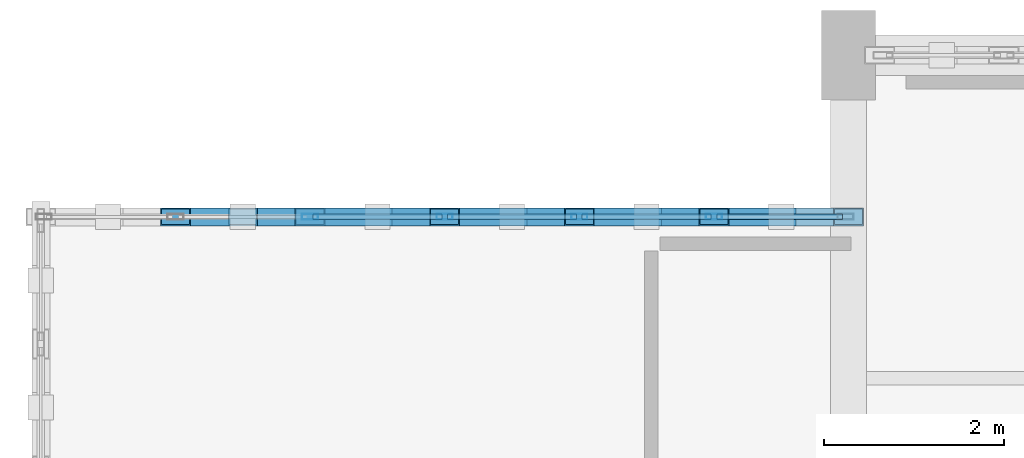
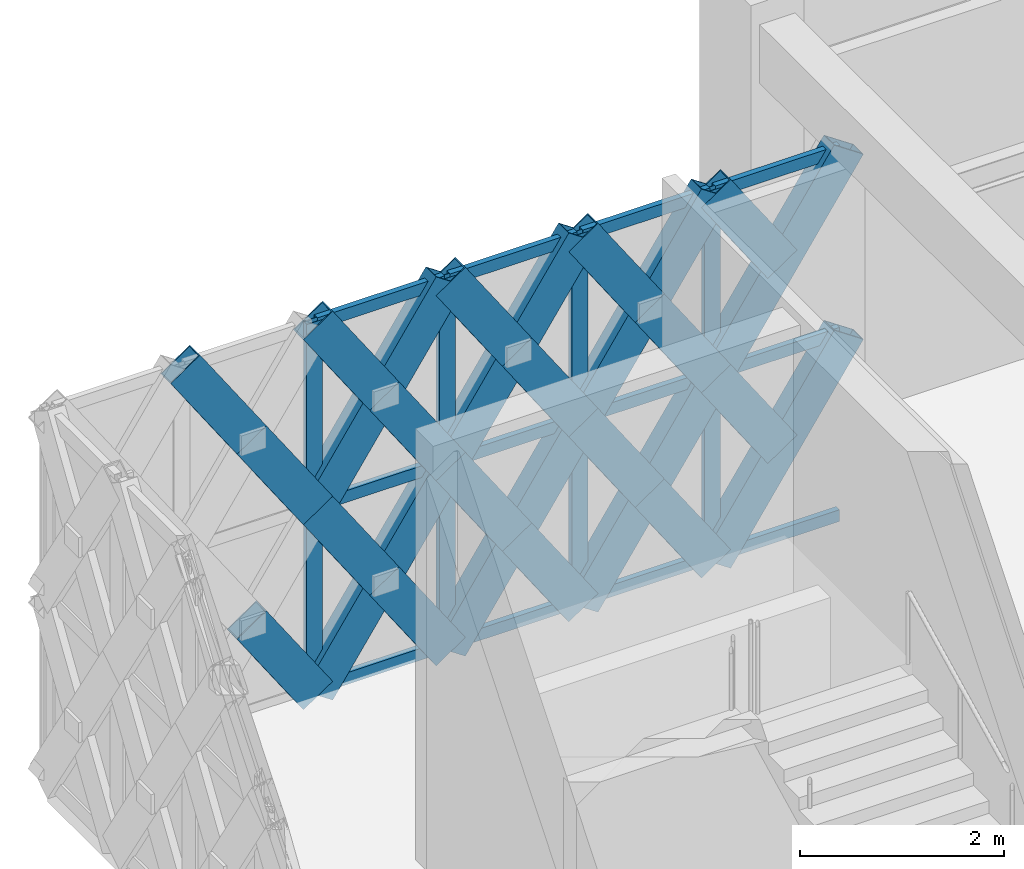
# One storey, part 72 of 166: 41 members, 1 element without a shape of its own.
"""IFC4 building model written with IfcOpenShell, lengths in metres."""

from ifc_helpers import new_model, si_unit, direction, frame, origin, origin_2d, place, context, subcontext, project, spatial, hollow_rectangle, extrude, material, material_profile, profile_set, type_object, element, aggregate, save


model = new_model("IFC4")

# Units and contexts
model_context = context("Model", 3, precision=1e-05, world=origin(), true_north=direction((0.0, 1.0)))
body_context = subcontext(model_context, "Body", "Model", "MODEL_VIEW")
ifc_project = project(units=[si_unit("LENGTHUNIT", "METRE"), si_unit("AREAUNIT", "SQUARE_METRE"), si_unit("VOLUMEUNIT", "CUBIC_METRE"), si_unit("PLANEANGLEUNIT", "RADIAN"), si_unit("MASSUNIT", "GRAM", prefix="KILO")], contexts=[model_context])

# Site, building, storey
site_placement = place(None, origin())
site = spatial("IfcSite", under=ifc_project, at=site_placement, CompositionType="ELEMENT")
building_placement = place(site_placement, origin())
building = spatial("IfcBuilding", under=site, at=building_placement, Name="Haizhuo Lancet Aquarium", CompositionType="ELEMENT")
storey_placement = place(building_placement, frame((0.0, 0.0, 5.39990234375)))
storey = spatial("IfcBuildingStorey", under=building, at=storey_placement, Name="L01", CompositionType="ELEMENT", Elevation=5.39990234375)

# Curtain wall, members
ifc_material_1 = material(Name="Aluminium 6063-T6", Category="aluminium")
curtain_wall_type = type_object("IfcCurtainWallType", Name="CWD-9000x4420", PredefinedType="NOTDEFINED", material=ifc_material_1)
curtain_wall_placement = place(storey_placement, origin())
curtain_wall = element("IfcCurtainWall", 1, at=curtain_wall_placement, inside=storey, type_object=curtain_wall_type, Name="L01 curtain wall CW-V5-L01-130", PredefinedType="NOTDEFINED")
ifc_material_profile_1 = material_profile(ifc_material_1, hollow_rectangle(XDim=0.06494140625, YDim=0.179931640625, WallThickness=0.00390625, at=origin_2d()), Name="ALU-M 65x180x4")
ifc_profile_set_1 = profile_set([ifc_material_profile_1], Name="Aluminium 6063-T6")
member_type_1 = type_object("IfcMemberType", Name="CW-MUL-1", PredefinedType="MULLION", material=ifc_profile_set_1)
member_1_placement = place(storey_placement, frame((-24.0, 54.0, 0.0), z_axis=(0.0, 0.0, 1.0), x_axis=(0.0, 1.0, 0.0)))
member_1 = element("IfcMember", 2, at=member_1_placement, type_object=member_type_1, Name="CWD-90x44 mullion 3", PredefinedType="MULLION", context=body_context, shape_type="SweptSolid", body=[
    extrude(hollow_rectangle(XDim=0.06494140625, YDim=0.179931640625, WallThickness=0.00390625, at=origin_2d()), origin(), (0.0, 0.0, 1.0), 4.425048828125),
])
member_2_placement = place(storey_placement, frame((-22.5, 54.0, 0.0), z_axis=(0.0, 0.0, 1.0), x_axis=(0.0, 1.0, 0.0)))
member_2 = element("IfcMember", 3, at=member_2_placement, type_object=member_type_1, Name="CWD-90x44 mullion 4", PredefinedType="MULLION", context=body_context, shape_type="SweptSolid", body=[
    extrude(hollow_rectangle(XDim=0.06494140625, YDim=0.179931640625, WallThickness=0.00390625, at=origin_2d()), origin(), (0.0, 0.0, 1.0), 4.425048828125),
])
member_3_placement = place(storey_placement, frame((-21.0, 54.0, 0.0), z_axis=(0.0, 0.0, 1.0), x_axis=(0.0, 1.0, 0.0)))
member_3 = element("IfcMember", 4, at=member_3_placement, type_object=member_type_1, Name="CWD-90x44 mullion 5", PredefinedType="MULLION", context=body_context, shape_type="SweptSolid", body=[
    extrude(hollow_rectangle(XDim=0.06494140625, YDim=0.179931640625, WallThickness=0.00390625, at=origin_2d()), origin(), (0.0, 0.0, 1.0), 4.425048828125),
])
member_4_placement = place(storey_placement, frame((-19.5, 54.0, 0.0), z_axis=(0.0, 0.0, 1.0), x_axis=(0.0, 1.0, 0.0)))
member_4 = element("IfcMember", 5, at=member_4_placement, type_object=member_type_1, Name="CWD-90x44 mullion 6", PredefinedType="MULLION", context=body_context, shape_type="SweptSolid", body=[
    extrude(hollow_rectangle(XDim=0.06494140625, YDim=0.179931640625, WallThickness=0.00390625, at=origin_2d()), origin(), (0.0, 0.0, 1.0), 4.425048828125),
])
ifc_material_profile_2 = material_profile(ifc_material_1, hollow_rectangle(XDim=0.06494140625, YDim=0.139892578125, WallThickness=0.00390625, at=origin_2d()), Name="ALU-T 65x140x4")
ifc_profile_set_2 = profile_set([ifc_material_profile_2], Name="Aluminium 6063-T6")
member_type_2 = type_object("IfcMemberType", Name="CW-TRN-1", PredefinedType="NOTDEFINED", material=ifc_profile_set_2)
member_5_placement = place(storey_placement, frame((-23.968017578125, 54.0, 0.033203125), z_axis=(1.0, 0.0, 0.0), x_axis=(0.0, 1.0, 0.0)))
member_5 = element("IfcMember", 6, at=member_5_placement, type_object=member_type_2, Name="CWD-90x44 transom 3.1", ObjectType="TRANSOM", PredefinedType="USERDEFINED", context=body_context, shape_type="SweptSolid", body=[
    extrude(hollow_rectangle(XDim=0.06494140625, YDim=0.139892578125, WallThickness=0.00390625, at=origin_2d()), origin(), (0.0, 0.0, 1.0), 1.43603515625),
])
member_6_placement = place(storey_placement, frame((-23.968017578125, 54.0, 2.212158203125), z_axis=(1.0, 0.0, 0.0), x_axis=(0.0, 1.0, 0.0)))
member_6 = element("IfcMember", 7, at=member_6_placement, type_object=member_type_2, Name="CWD-90x44 transom 3.2", ObjectType="TRANSOM", PredefinedType="USERDEFINED", context=body_context, shape_type="SweptSolid", body=[
    extrude(hollow_rectangle(XDim=0.06494140625, YDim=0.139892578125, WallThickness=0.00390625, at=origin_2d()), origin(), (0.0, 0.0, 1.0), 1.43603515625),
])
member_7_placement = place(storey_placement, frame((-23.968017578125, 54.0, 4.39208984375), z_axis=(1.0, 0.0, 0.0), x_axis=(0.0, 1.0, 0.0)))
member_7 = element("IfcMember", 8, at=member_7_placement, type_object=member_type_2, Name="CWD-90x44 transom 3.3", ObjectType="TRANSOM", PredefinedType="USERDEFINED", context=body_context, shape_type="SweptSolid", body=[
    extrude(hollow_rectangle(XDim=0.06494140625, YDim=0.139892578125, WallThickness=0.00390625, at=origin_2d()), origin(), (0.0, 0.0, 1.0), 1.43603515625),
])
member_8_placement = place(storey_placement, frame((-22.468017578125, 54.0, 0.033203125), z_axis=(1.0, 0.0, 0.0), x_axis=(0.0, 1.0, 0.0)))
member_8 = element("IfcMember", 9, at=member_8_placement, type_object=member_type_2, Name="CWD-90x44 transom 4.1", ObjectType="TRANSOM", PredefinedType="USERDEFINED", context=body_context, shape_type="SweptSolid", body=[
    extrude(hollow_rectangle(XDim=0.06494140625, YDim=0.139892578125, WallThickness=0.00390625, at=origin_2d()), origin(), (0.0, 0.0, 1.0), 1.43603515625),
])
member_9_placement = place(storey_placement, frame((-22.468017578125, 54.0, 2.212158203125), z_axis=(1.0, 0.0, 0.0), x_axis=(0.0, 1.0, 0.0)))
member_9 = element("IfcMember", 10, at=member_9_placement, type_object=member_type_2, Name="CWD-90x44 transom 4.2", ObjectType="TRANSOM", PredefinedType="USERDEFINED", context=body_context, shape_type="SweptSolid", body=[
    extrude(hollow_rectangle(XDim=0.06494140625, YDim=0.139892578125, WallThickness=0.00390625, at=origin_2d()), origin(), (0.0, 0.0, 1.0), 1.43603515625),
])
member_10_placement = place(storey_placement, frame((-22.468017578125, 54.0, 4.39208984375), z_axis=(1.0, 0.0, 0.0), x_axis=(0.0, 1.0, 0.0)))
member_10 = element("IfcMember", 11, at=member_10_placement, type_object=member_type_2, Name="CWD-90x44 transom 4.3", ObjectType="TRANSOM", PredefinedType="USERDEFINED", context=body_context, shape_type="SweptSolid", body=[
    extrude(hollow_rectangle(XDim=0.06494140625, YDim=0.139892578125, WallThickness=0.00390625, at=origin_2d()), origin(), (0.0, 0.0, 1.0), 1.43603515625),
])
member_11_placement = place(storey_placement, frame((-20.968017578125, 54.0, 0.033203125), z_axis=(1.0, 0.0, 0.0), x_axis=(0.0, 1.0, 0.0)))
member_11 = element("IfcMember", 12, at=member_11_placement, type_object=member_type_2, Name="CWD-90x44 transom 5.1", ObjectType="TRANSOM", PredefinedType="USERDEFINED", context=body_context, shape_type="SweptSolid", body=[
    extrude(hollow_rectangle(XDim=0.06494140625, YDim=0.139892578125, WallThickness=0.00390625, at=origin_2d()), origin(), (0.0, 0.0, 1.0), 1.43603515625),
])
member_12_placement = place(storey_placement, frame((-20.968017578125, 54.0, 2.212158203125), z_axis=(1.0, 0.0, 0.0), x_axis=(0.0, 1.0, 0.0)))
member_12 = element("IfcMember", 13, at=member_12_placement, type_object=member_type_2, Name="CWD-90x44 transom 5.2", ObjectType="TRANSOM", PredefinedType="USERDEFINED", context=body_context, shape_type="SweptSolid", body=[
    extrude(hollow_rectangle(XDim=0.06494140625, YDim=0.139892578125, WallThickness=0.00390625, at=origin_2d()), origin(), (0.0, 0.0, 1.0), 1.43603515625),
])
member_13_placement = place(storey_placement, frame((-20.968017578125, 54.0, 4.39208984375), z_axis=(1.0, 0.0, 0.0), x_axis=(0.0, 1.0, 0.0)))
member_13 = element("IfcMember", 14, at=member_13_placement, type_object=member_type_2, Name="CWD-90x44 transom 5.3", ObjectType="TRANSOM", PredefinedType="USERDEFINED", context=body_context, shape_type="SweptSolid", body=[
    extrude(hollow_rectangle(XDim=0.06494140625, YDim=0.139892578125, WallThickness=0.00390625, at=origin_2d()), origin(), (0.0, 0.0, 1.0), 1.43603515625),
])
member_14_placement = place(storey_placement, frame((-19.468017578125, 54.0, 0.033203125), z_axis=(1.0, 0.0, 0.0), x_axis=(0.0, 1.0, 0.0)))
member_14 = element("IfcMember", 15, at=member_14_placement, type_object=member_type_2, Name="CWD-90x44 transom 6.1", ObjectType="TRANSOM", PredefinedType="USERDEFINED", context=body_context, shape_type="SweptSolid", body=[
    extrude(hollow_rectangle(XDim=0.06494140625, YDim=0.139892578125, WallThickness=0.00390625, at=origin_2d()), origin(), (0.0, 0.0, 1.0), 1.403076171875),
])
member_15_placement = place(storey_placement, frame((-19.468017578125, 54.0, 2.212158203125), z_axis=(1.0, 0.0, 0.0), x_axis=(0.0, 1.0, 0.0)))
member_15 = element("IfcMember", 16, at=member_15_placement, type_object=member_type_2, Name="CWD-90x44 transom 6.2", ObjectType="TRANSOM", PredefinedType="USERDEFINED", context=body_context, shape_type="SweptSolid", body=[
    extrude(hollow_rectangle(XDim=0.06494140625, YDim=0.139892578125, WallThickness=0.00390625, at=origin_2d()), origin(), (0.0, 0.0, 1.0), 1.403076171875),
])
member_16_placement = place(storey_placement, frame((-19.468017578125, 54.0, 4.39208984375), z_axis=(1.0, 0.0, 0.0), x_axis=(0.0, 1.0, 0.0)))
member_16 = element("IfcMember", 17, at=member_16_placement, type_object=member_type_2, Name="CWD-90x44 transom 6.3", ObjectType="TRANSOM", PredefinedType="USERDEFINED", context=body_context, shape_type="SweptSolid", body=[
    extrude(hollow_rectangle(XDim=0.06494140625, YDim=0.139892578125, WallThickness=0.00390625, at=origin_2d()), origin(), (0.0, 0.0, 1.0), 1.403076171875),
])
aggregate(curtain_wall, [member_1, member_2, member_3, member_4, member_5, member_6, member_7, member_8, member_9, member_10, member_11, member_12, member_13, member_14, member_15, member_16])

# Members
ifc_material_2 = material(Name="Steel S355", Category="steel")
ifc_material_profile_3 = material_profile(ifc_material_2, hollow_rectangle(XDim=0.199951171875, YDim=0.39990234375, WallThickness=0.011962890625, at=origin_2d()), Name="RHS 200x400x12")
ifc_profile_set_3 = profile_set([ifc_material_profile_3], Name="Steel S355")
member_type_3 = type_object("IfcMemberType", Name="MEM-LB-RHS200x400", PredefinedType="BRACE", material=ifc_profile_set_3)
member_17_placement = place(storey_placement, frame((-24.0, 54.0, 0.0), z_axis=(-0.561175273292, 0.0, 0.827696993257), x_axis=(0.0, -1.0, 0.0)))
element("IfcMember", 18, at=member_17_placement, inside=storey, type_object=member_type_3, Name="Gothic lancet split diagonal brace CW-V5-L01-130 3B1", PredefinedType="BRACE", context=body_context, shape_type="SweptSolid", body=[
    extrude(hollow_rectangle(XDim=0.199951171875, YDim=0.39990234375, WallThickness=0.011962890625, at=origin_2d()), origin(), (0.0, 0.0, 1.0), 1.33642578125),
])
member_18_placement = place(storey_placement, frame((-24.0, 54.0, 2.212158203125), z_axis=(-0.561260132269, 0.0, 0.827639452857), x_axis=(0.0, -1.0, 0.0)))
element("IfcMember", 19, at=member_18_placement, inside=storey, type_object=member_type_3, Name="Gothic lancet split diagonal brace CW-V5-L01-130 4B1", PredefinedType="BRACE", context=body_context, shape_type="SweptSolid", body=[
    extrude(hollow_rectangle(XDim=0.199951171875, YDim=0.39990234375, WallThickness=0.011962890625, at=origin_2d()), origin(), (0.0, 0.0, 1.0), 1.336181640625),
])
member_19_placement = place(storey_placement, frame((-24.75, 54.0, 3.318115234375), z_axis=(-0.560920814911, 0.0, 0.827869457946), x_axis=(0.0, -1.0, 0.0)))
element("IfcMember", 20, at=member_19_placement, inside=storey, type_object=member_type_3, Name="Gothic lancet split diagonal brace CW-V5-L01-130 4B2", PredefinedType="BRACE", context=body_context, shape_type="SweptSolid", body=[
    extrude(hollow_rectangle(XDim=0.199951171875, YDim=0.39990234375, WallThickness=0.011962890625, at=origin_2d()), origin(), (0.0, 0.0, 1.0), 1.337158203125),
])
member_20_placement = place(storey_placement, frame((-24.0, 54.0, 0.0), z_axis=(0.56121770031, 0.0, 0.82766822632), x_axis=(0.0, 1.0, 0.0)))
element("IfcMember", 21, at=member_20_placement, inside=storey, type_object=member_type_3, Name="Gothic lancet continuous diagonal brace CW-V5-L01-130 5A", PredefinedType="BRACE", context=body_context, shape_type="SweptSolid", body=[
    extrude(hollow_rectangle(XDim=0.199951171875, YDim=0.39990234375, WallThickness=0.011962890625, at=origin_2d()), origin(), (0.0, 0.0, 1.0), 2.6728515625),
])
member_21_placement = place(storey_placement, frame((-22.5, 54.0, 0.0), z_axis=(-0.561175273292, 0.0, 0.827696993257), x_axis=(0.0, -1.0, 0.0)))
element("IfcMember", 22, at=member_21_placement, inside=storey, type_object=member_type_3, Name="Gothic lancet split diagonal brace CW-V5-L01-130 5B1", PredefinedType="BRACE", context=body_context, shape_type="SweptSolid", body=[
    extrude(hollow_rectangle(XDim=0.199951171875, YDim=0.39990234375, WallThickness=0.011962890625, at=origin_2d()), origin(), (0.0, 0.0, 1.0), 1.33642578125),
])
member_22_placement = place(storey_placement, frame((-23.25, 54.0, 1.106201171875), z_axis=(-0.561260132269, 0.0, 0.827639452857), x_axis=(0.0, -1.0, 0.0)))
element("IfcMember", 23, at=member_22_placement, inside=storey, type_object=member_type_3, Name="Gothic lancet split diagonal brace CW-V5-L01-130 5B2", PredefinedType="BRACE", context=body_context, shape_type="SweptSolid", body=[
    extrude(hollow_rectangle(XDim=0.199951171875, YDim=0.39990234375, WallThickness=0.011962890625, at=origin_2d()), origin(), (0.0, 0.0, 1.0), 1.336181640625),
])
member_23_placement = place(storey_placement, frame((-24.0, 54.0, 2.212158203125), z_axis=(0.561090434075, 0.0, 0.827754507562), x_axis=(0.0, 1.0, 0.0)))
element("IfcMember", 24, at=member_23_placement, inside=storey, type_object=member_type_3, Name="Gothic lancet continuous diagonal brace CW-V5-L01-130 6A", PredefinedType="BRACE", context=body_context, shape_type="SweptSolid", body=[
    extrude(hollow_rectangle(XDim=0.199951171875, YDim=0.39990234375, WallThickness=0.011962890625, at=origin_2d()), origin(), (0.0, 0.0, 1.0), 2.67333984375),
])
member_24_placement = place(storey_placement, frame((-22.5, 54.0, 2.212158203125), z_axis=(-0.561260132269, 0.0, 0.827639452857), x_axis=(0.0, -1.0, 0.0)))
element("IfcMember", 25, at=member_24_placement, inside=storey, type_object=member_type_3, Name="Gothic lancet split diagonal brace CW-V5-L01-130 6B1", PredefinedType="BRACE", context=body_context, shape_type="SweptSolid", body=[
    extrude(hollow_rectangle(XDim=0.199951171875, YDim=0.39990234375, WallThickness=0.011962890625, at=origin_2d()), origin(), (0.0, 0.0, 1.0), 1.336181640625),
])
member_25_placement = place(storey_placement, frame((-23.25, 54.0, 3.318115234375), z_axis=(-0.560920814911, 0.0, 0.827869457946), x_axis=(0.0, -1.0, 0.0)))
element("IfcMember", 26, at=member_25_placement, inside=storey, type_object=member_type_3, Name="Gothic lancet split diagonal brace CW-V5-L01-130 6B2", PredefinedType="BRACE", context=body_context, shape_type="SweptSolid", body=[
    extrude(hollow_rectangle(XDim=0.199951171875, YDim=0.39990234375, WallThickness=0.011962890625, at=origin_2d()), origin(), (0.0, 0.0, 1.0), 1.337158203125),
])
member_26_placement = place(storey_placement, frame((-22.5, 54.0, 0.0), z_axis=(0.56121770031, 0.0, 0.82766822632), x_axis=(0.0, 1.0, 0.0)))
element("IfcMember", 27, at=member_26_placement, inside=storey, type_object=member_type_3, Name="Gothic lancet continuous diagonal brace CW-V5-L01-130 7A", PredefinedType="BRACE", context=body_context, shape_type="SweptSolid", body=[
    extrude(hollow_rectangle(XDim=0.199951171875, YDim=0.39990234375, WallThickness=0.011962890625, at=origin_2d()), origin(), (0.0, 0.0, 1.0), 2.6728515625),
])
member_27_placement = place(storey_placement, frame((-21.0, 54.0, 0.0), z_axis=(-0.561175273292, 0.0, 0.827696993257), x_axis=(0.0, -1.0, 0.0)))
element("IfcMember", 28, at=member_27_placement, inside=storey, type_object=member_type_3, Name="Gothic lancet split diagonal brace CW-V5-L01-130 7B1", PredefinedType="BRACE", context=body_context, shape_type="SweptSolid", body=[
    extrude(hollow_rectangle(XDim=0.199951171875, YDim=0.39990234375, WallThickness=0.011962890625, at=origin_2d()), origin(), (0.0, 0.0, 1.0), 1.33642578125),
])
member_28_placement = place(storey_placement, frame((-21.75, 54.0, 1.106201171875), z_axis=(-0.561260132269, 0.0, 0.827639452857), x_axis=(0.0, -1.0, 0.0)))
element("IfcMember", 29, at=member_28_placement, inside=storey, type_object=member_type_3, Name="Gothic lancet split diagonal brace CW-V5-L01-130 7B2", PredefinedType="BRACE", context=body_context, shape_type="SweptSolid", body=[
    extrude(hollow_rectangle(XDim=0.199951171875, YDim=0.39990234375, WallThickness=0.011962890625, at=origin_2d()), origin(), (0.0, 0.0, 1.0), 1.336181640625),
])
member_29_placement = place(storey_placement, frame((-22.5, 54.0, 2.212158203125), z_axis=(0.561090434075, 0.0, 0.827754507562), x_axis=(0.0, 1.0, 0.0)))
element("IfcMember", 30, at=member_29_placement, inside=storey, type_object=member_type_3, Name="Gothic lancet continuous diagonal brace CW-V5-L01-130 8A", PredefinedType="BRACE", context=body_context, shape_type="SweptSolid", body=[
    extrude(hollow_rectangle(XDim=0.199951171875, YDim=0.39990234375, WallThickness=0.011962890625, at=origin_2d()), origin(), (0.0, 0.0, 1.0), 2.67333984375),
])
member_30_placement = place(storey_placement, frame((-21.0, 54.0, 2.212158203125), z_axis=(-0.561260132269, 0.0, 0.827639452857), x_axis=(0.0, -1.0, 0.0)))
element("IfcMember", 31, at=member_30_placement, inside=storey, type_object=member_type_3, Name="Gothic lancet split diagonal brace CW-V5-L01-130 8B1", PredefinedType="BRACE", context=body_context, shape_type="SweptSolid", body=[
    extrude(hollow_rectangle(XDim=0.199951171875, YDim=0.39990234375, WallThickness=0.011962890625, at=origin_2d()), origin(), (0.0, 0.0, 1.0), 1.336181640625),
])
member_31_placement = place(storey_placement, frame((-21.75, 54.0, 3.318115234375), z_axis=(-0.560920814911, 0.0, 0.827869457946), x_axis=(0.0, -1.0, 0.0)))
element("IfcMember", 32, at=member_31_placement, inside=storey, type_object=member_type_3, Name="Gothic lancet split diagonal brace CW-V5-L01-130 8B2", PredefinedType="BRACE", context=body_context, shape_type="SweptSolid", body=[
    extrude(hollow_rectangle(XDim=0.199951171875, YDim=0.39990234375, WallThickness=0.011962890625, at=origin_2d()), origin(), (0.0, 0.0, 1.0), 1.337158203125),
])
member_32_placement = place(storey_placement, frame((-21.0, 54.0, 0.0), z_axis=(0.56121770031, 0.0, 0.82766822632), x_axis=(0.0, 1.0, 0.0)))
element("IfcMember", 33, at=member_32_placement, inside=storey, type_object=member_type_3, Name="Gothic lancet continuous diagonal brace CW-V5-L01-130 9A", PredefinedType="BRACE", context=body_context, shape_type="SweptSolid", body=[
    extrude(hollow_rectangle(XDim=0.199951171875, YDim=0.39990234375, WallThickness=0.011962890625, at=origin_2d()), origin(), (0.0, 0.0, 1.0), 2.6728515625),
])
member_33_placement = place(storey_placement, frame((-19.5, 54.0, 0.0), z_axis=(-0.561175273292, 0.0, 0.827696993257), x_axis=(0.0, -1.0, 0.0)))
element("IfcMember", 34, at=member_33_placement, inside=storey, type_object=member_type_3, Name="Gothic lancet split diagonal brace CW-V5-L01-130 9B1", PredefinedType="BRACE", context=body_context, shape_type="SweptSolid", body=[
    extrude(hollow_rectangle(XDim=0.199951171875, YDim=0.39990234375, WallThickness=0.011962890625, at=origin_2d()), origin(), (0.0, 0.0, 1.0), 1.33642578125),
])
member_34_placement = place(storey_placement, frame((-20.25, 54.0, 1.106201171875), z_axis=(-0.561260132269, 0.0, 0.827639452857), x_axis=(0.0, -1.0, 0.0)))
element("IfcMember", 35, at=member_34_placement, inside=storey, type_object=member_type_3, Name="Gothic lancet split diagonal brace CW-V5-L01-130 9B2", PredefinedType="BRACE", context=body_context, shape_type="SweptSolid", body=[
    extrude(hollow_rectangle(XDim=0.199951171875, YDim=0.39990234375, WallThickness=0.011962890625, at=origin_2d()), origin(), (0.0, 0.0, 1.0), 1.336181640625),
])
member_35_placement = place(storey_placement, frame((-21.0, 54.0, 2.212158203125), z_axis=(0.561090434075, 0.0, 0.827754507562), x_axis=(0.0, 1.0, 0.0)))
element("IfcMember", 36, at=member_35_placement, inside=storey, type_object=member_type_3, Name="Gothic lancet continuous diagonal brace CW-V5-L01-130 10A", PredefinedType="BRACE", context=body_context, shape_type="SweptSolid", body=[
    extrude(hollow_rectangle(XDim=0.199951171875, YDim=0.39990234375, WallThickness=0.011962890625, at=origin_2d()), origin(), (0.0, 0.0, 1.0), 2.67333984375),
])
member_36_placement = place(storey_placement, frame((-19.5, 54.0, 2.212158203125), z_axis=(-0.561260132269, 0.0, 0.827639452857), x_axis=(0.0, -1.0, 0.0)))
element("IfcMember", 37, at=member_36_placement, inside=storey, type_object=member_type_3, Name="Gothic lancet split diagonal brace CW-V5-L01-130 10B1", PredefinedType="BRACE", context=body_context, shape_type="SweptSolid", body=[
    extrude(hollow_rectangle(XDim=0.199951171875, YDim=0.39990234375, WallThickness=0.011962890625, at=origin_2d()), origin(), (0.0, 0.0, 1.0), 1.336181640625),
])
member_37_placement = place(storey_placement, frame((-20.25, 54.0, 3.318115234375), z_axis=(-0.560920814911, 0.0, 0.827869457946), x_axis=(0.0, -1.0, 0.0)))
element("IfcMember", 38, at=member_37_placement, inside=storey, type_object=member_type_3, Name="Gothic lancet split diagonal brace CW-V5-L01-130 10B2", PredefinedType="BRACE", context=body_context, shape_type="SweptSolid", body=[
    extrude(hollow_rectangle(XDim=0.199951171875, YDim=0.39990234375, WallThickness=0.011962890625, at=origin_2d()), origin(), (0.0, 0.0, 1.0), 1.337158203125),
])
member_38_placement = place(storey_placement, frame((-19.5, 54.0, 0.0), z_axis=(0.56121770031, 0.0, 0.82766822632), x_axis=(0.0, 1.0, 0.0)))
element("IfcMember", 39, at=member_38_placement, inside=storey, type_object=member_type_3, Name="Gothic lancet continuous diagonal brace CW-V5-L01-130 11A", PredefinedType="BRACE", context=body_context, shape_type="SweptSolid", body=[
    extrude(hollow_rectangle(XDim=0.199951171875, YDim=0.39990234375, WallThickness=0.011962890625, at=origin_2d()), origin(), (0.0, 0.0, 1.0), 2.6728515625),
])
member_39_placement = place(storey_placement, frame((-18.75, 54.0, 1.106201171875), z_axis=(-0.561260132269, 0.0, 0.827639452857), x_axis=(0.0, -1.0, 0.0)))
element("IfcMember", 40, at=member_39_placement, inside=storey, type_object=member_type_3, Name="Gothic lancet split diagonal brace CW-V5-L01-130 11B2", PredefinedType="BRACE", context=body_context, shape_type="SweptSolid", body=[
    extrude(hollow_rectangle(XDim=0.199951171875, YDim=0.39990234375, WallThickness=0.011962890625, at=origin_2d()), origin(), (0.0, 0.0, 1.0), 1.336181640625),
])
member_40_placement = place(storey_placement, frame((-19.5, 54.0, 2.212158203125), z_axis=(0.561090434075, 0.0, 0.827754507562), x_axis=(0.0, 1.0, 0.0)))
element("IfcMember", 41, at=member_40_placement, inside=storey, type_object=member_type_3, Name="Gothic lancet continuous diagonal brace CW-V5-L01-130 12A", PredefinedType="BRACE", context=body_context, shape_type="SweptSolid", body=[
    extrude(hollow_rectangle(XDim=0.199951171875, YDim=0.39990234375, WallThickness=0.011962890625, at=origin_2d()), origin(), (0.0, 0.0, 1.0), 2.67333984375),
])
member_41_placement = place(storey_placement, frame((-18.75, 54.0, 3.318115234375), z_axis=(-0.560920814911, 0.0, 0.827869457946), x_axis=(0.0, -1.0, 0.0)))
element("IfcMember", 42, at=member_41_placement, inside=storey, type_object=member_type_3, Name="Gothic lancet split diagonal brace CW-V5-L01-130 12B2", PredefinedType="BRACE", context=body_context, shape_type="SweptSolid", body=[
    extrude(hollow_rectangle(XDim=0.199951171875, YDim=0.39990234375, WallThickness=0.011962890625, at=origin_2d()), origin(), (0.0, 0.0, 1.0), 1.337158203125),
])

save(model, "model.ifc")
